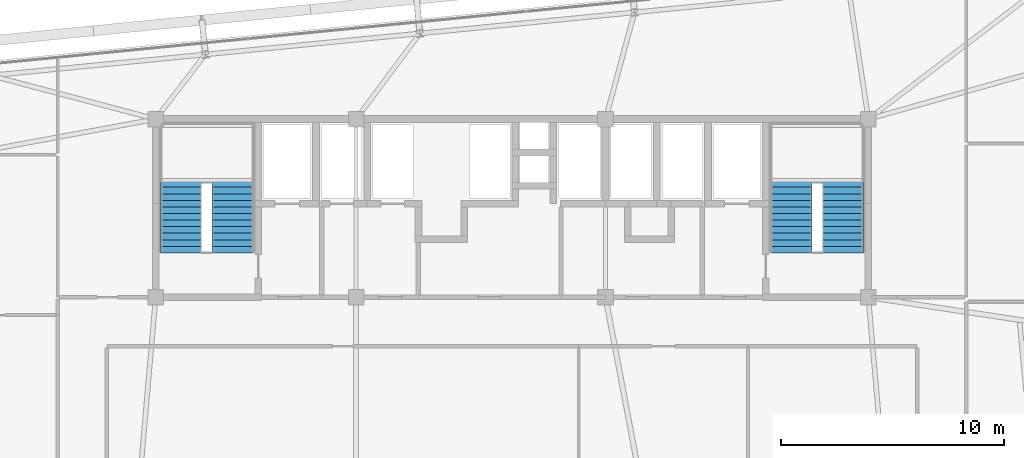
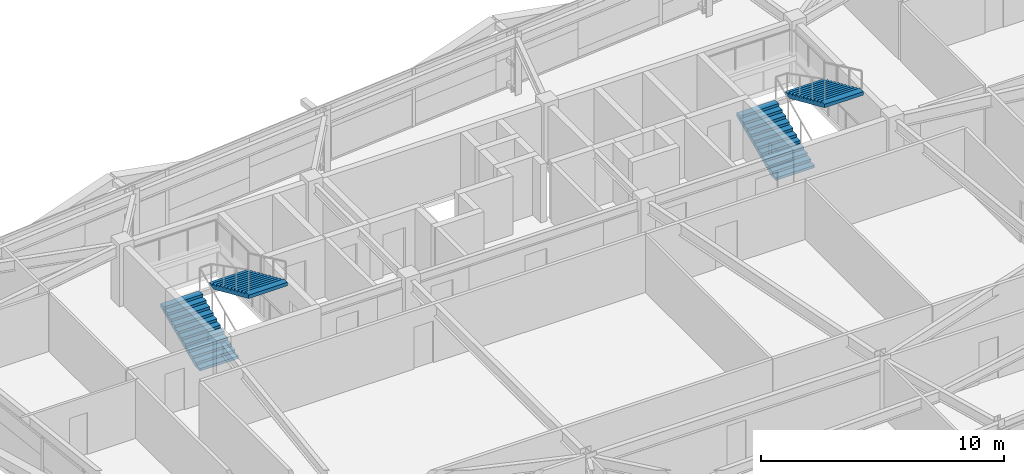
# One storey, part 44 of 47: 4 stair flights, 2 elements without a shape of their own.
"""IFC4 building model written with IfcOpenShell, lengths in metres."""

from ifc_helpers import new_model, si_unit, direction, frame, origin, place, context, subcontext, project, spatial, polyline, outline, extrude, material, type_object, element, aggregate, save


model = new_model("IFC4")

# Units and contexts
model_context = context("Model", 3, precision=1e-05, world=origin(), true_north=direction((0.0, 1.0)))
body_context = subcontext(model_context, "Body", "Model", "MODEL_VIEW")
ifc_project = project(units=[si_unit("LENGTHUNIT", "METRE"), si_unit("AREAUNIT", "SQUARE_METRE"), si_unit("VOLUMEUNIT", "CUBIC_METRE"), si_unit("PLANEANGLEUNIT", "RADIAN"), si_unit("MASSUNIT", "GRAM", prefix="KILO")], contexts=[model_context])

# Site, building, storey
site_placement = place(None, origin())
site = spatial("IfcSite", under=ifc_project, at=site_placement, CompositionType="ELEMENT")
building_placement = place(site_placement, origin())
building = spatial("IfcBuilding", under=site, at=building_placement, Name="Taldren Reach Tower", CompositionType="ELEMENT")
storey_placement = place(building_placement, frame((0.0, 0.0, 106.050048828125)))
storey = spatial("IfcBuildingStorey", under=building, at=storey_placement, Name="L32", CompositionType="ELEMENT", Elevation=106.050048828125)

# Stair, stair flights
ifc_material = material(Name="Concrete S50 (50 MPa)", Category="concrete")
stair_type = type_object("IfcStairType", Name="ST-HT-315", PredefinedType="HALF_TURN_STAIR", material=ifc_material)
stair_1_placement = place(storey_placement, origin())
stair_1 = element("IfcStair", 1, at=stair_1_placement, inside=storey, type_object=stair_type, Name="Fire-isolated exit stair ST1 L32", PredefinedType="HALF_TURN_STAIR")
stair_flight_type = type_object("IfcStairFlightType", Name="SF-STR-315", PredefinedType="STRAIGHT", material=ifc_material)
stair_flight_1_placement = place(storey_placement, frame((20.139892578125, 25.989990234375, 0.0), z_axis=(0.0, 0.0, 1.0), x_axis=(0.0, 1.0, 0.0)))
stair_flight_1 = element("IfcStairFlight", 2, at=stair_flight_1_placement, type_object=stair_flight_type, Name="ST1 flight 1", NumberOfRisers=12, NumberOfTreads=11, PredefinedType="STRAIGHT", RiserHeight=0.13125, TreadLength=0.295, context=body_context, shape_type="SweptSolid", body=[
    extrude(outline(polyline([(0.0, 0.0), (0.0, 0.13134765625), (0.294921875, 0.13134765625), (0.294921875, 0.262451171875), (0.590087890625, 0.262451171875), (0.590087890625, 0.393798828125), (0.885009765625, 0.393798828125), (0.885009765625, 0.52490234375), (1.179931640625, 0.52490234375), (1.179931640625, 0.65625), (1.47509765625, 0.65625), (1.47509765625, 0.78759765625), (1.77001953125, 0.78759765625), (1.77001953125, 0.918701171875), (2.06494140625, 0.918701171875), (2.06494140625, 1.050048828125), (2.360107421875, 1.050048828125), (2.360107421875, 1.18115234375), (2.655029296875, 1.18115234375), (2.655029296875, 1.3125), (2.949951171875, 1.3125), (2.949951171875, 1.44384765625), (3.2451171875, 1.44384765625), (3.2451171875, 1.574951171875), (3.2451171875, 1.268798828125), (0.393310546875, 0.0), (0.0, 0.0)])), frame((0.0, 0.919921875, 0.0), z_axis=(0.0, -1.0, 0.0), x_axis=(1.0, 0.0, 0.0)), (0.0, 0.0, 1.0), 1.840087890625),
])
stair_flight_2_placement = place(storey_placement, frame((22.4599609375, 29.235107421875, 1.574951171875), z_axis=(0.0, 0.0, 1.0), x_axis=(0.0, -1.0, 0.0)))
stair_flight_2 = element("IfcStairFlight", 3, at=stair_flight_2_placement, type_object=stair_flight_type, Name="ST1 flight 2", NumberOfRisers=12, NumberOfTreads=11, PredefinedType="STRAIGHT", RiserHeight=0.13125, TreadLength=0.295, context=body_context, shape_type="SweptSolid", body=[
    extrude(outline(polyline([(0.0, 0.0), (0.0, 0.13134765625), (0.294921875, 0.13134765625), (0.294921875, 0.262451171875), (0.590087890625, 0.262451171875), (0.590087890625, 0.393798828125), (0.885009765625, 0.393798828125), (0.885009765625, 0.52490234375), (1.179931640625, 0.52490234375), (1.179931640625, 0.65625), (1.47509765625, 0.65625), (1.47509765625, 0.78759765625), (1.77001953125, 0.78759765625), (1.77001953125, 0.918701171875), (2.06494140625, 0.918701171875), (2.06494140625, 1.050048828125), (2.360107421875, 1.050048828125), (2.360107421875, 1.18115234375), (2.655029296875, 1.18115234375), (2.655029296875, 1.3125), (2.949951171875, 1.3125), (2.949951171875, 1.44384765625), (3.2451171875, 1.44384765625), (3.2451171875, 1.574951171875), (3.2451171875, 1.268798828125), (0.393310546875, 0.0), (0.0, 0.0)])), frame((0.0, 0.919921875, 0.0), z_axis=(0.0, -1.0, 0.0), x_axis=(1.0, 0.0, 0.0)), (0.0, 0.0, 1.0), 1.840087890625),
])
aggregate(stair_1, [stair_flight_1, stair_flight_2])

stair_2_placement = place(storey_placement, origin())
stair_2 = element("IfcStair", 4, at=stair_2_placement, inside=storey, type_object=stair_type, Name="Fire-isolated exit stair ST2 L32", PredefinedType="HALF_TURN_STAIR")
stair_flight_3_placement = place(storey_placement, frame((47.5400390625, 25.989990234375, 0.0), z_axis=(0.0, 0.0, 1.0), x_axis=(0.0, 1.0, 0.0)))
stair_flight_3 = element("IfcStairFlight", 5, at=stair_flight_3_placement, type_object=stair_flight_type, Name="ST2 flight 1", NumberOfRisers=12, NumberOfTreads=11, PredefinedType="STRAIGHT", RiserHeight=0.13125, TreadLength=0.295, context=body_context, shape_type="SweptSolid", body=[
    extrude(outline(polyline([(0.0, 0.0), (0.0, 0.13134765625), (0.294921875, 0.13134765625), (0.294921875, 0.262451171875), (0.590087890625, 0.262451171875), (0.590087890625, 0.393798828125), (0.885009765625, 0.393798828125), (0.885009765625, 0.52490234375), (1.179931640625, 0.52490234375), (1.179931640625, 0.65625), (1.47509765625, 0.65625), (1.47509765625, 0.78759765625), (1.77001953125, 0.78759765625), (1.77001953125, 0.918701171875), (2.06494140625, 0.918701171875), (2.06494140625, 1.050048828125), (2.360107421875, 1.050048828125), (2.360107421875, 1.18115234375), (2.655029296875, 1.18115234375), (2.655029296875, 1.3125), (2.949951171875, 1.3125), (2.949951171875, 1.44384765625), (3.2451171875, 1.44384765625), (3.2451171875, 1.574951171875), (3.2451171875, 1.268798828125), (0.393310546875, 0.0), (0.0, 0.0)])), frame((0.0, 0.919921875, 0.0), z_axis=(0.0, -1.0, 0.0), x_axis=(1.0, 0.0, 0.0)), (0.0, 0.0, 1.0), 1.840087890625),
])
stair_flight_4_placement = place(storey_placement, frame((49.860107421875, 29.235107421875, 1.574951171875), z_axis=(0.0, 0.0, 1.0), x_axis=(0.0, -1.0, 0.0)))
stair_flight_4 = element("IfcStairFlight", 6, at=stair_flight_4_placement, type_object=stair_flight_type, Name="ST2 flight 2", NumberOfRisers=12, NumberOfTreads=11, PredefinedType="STRAIGHT", RiserHeight=0.13125, TreadLength=0.295, context=body_context, shape_type="SweptSolid", body=[
    extrude(outline(polyline([(0.0, 0.0), (0.0, 0.13134765625), (0.294921875, 0.13134765625), (0.294921875, 0.262451171875), (0.590087890625, 0.262451171875), (0.590087890625, 0.393798828125), (0.885009765625, 0.393798828125), (0.885009765625, 0.52490234375), (1.179931640625, 0.52490234375), (1.179931640625, 0.65625), (1.47509765625, 0.65625), (1.47509765625, 0.78759765625), (1.77001953125, 0.78759765625), (1.77001953125, 0.918701171875), (2.06494140625, 0.918701171875), (2.06494140625, 1.050048828125), (2.360107421875, 1.050048828125), (2.360107421875, 1.18115234375), (2.655029296875, 1.18115234375), (2.655029296875, 1.3125), (2.949951171875, 1.3125), (2.949951171875, 1.44384765625), (3.2451171875, 1.44384765625), (3.2451171875, 1.574951171875), (3.2451171875, 1.268798828125), (0.393310546875, 0.0), (0.0, 0.0)])), frame((0.0, 0.919921875, 0.0), z_axis=(0.0, -1.0, 0.0), x_axis=(1.0, 0.0, 0.0)), (0.0, 0.0, 1.0), 1.840087890625),
])
aggregate(stair_2, [stair_flight_3, stair_flight_4])

save(model, "model.ifc")
